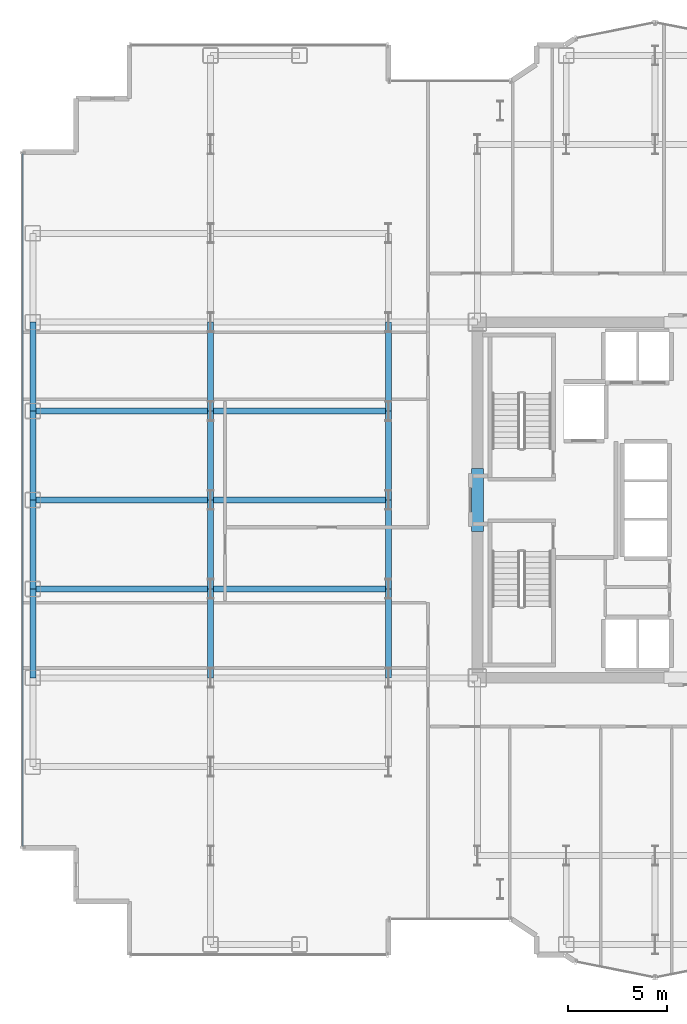
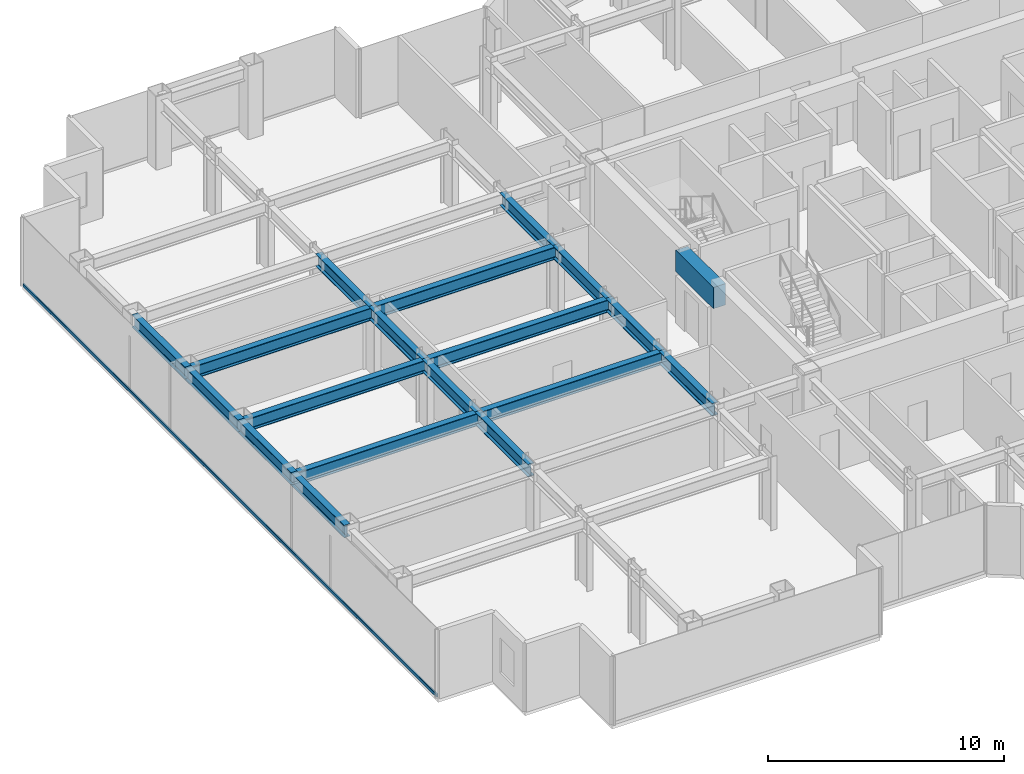
# One storey, part 5 of 26: 19 beams, 1 member, 1 element without a shape of its own.
"""IFC4 building model written with IfcOpenShell, lengths in metres."""

import ifcopenshell
import ifcopenshell.guid

model = None  # the IFC model being written
_history = None  # IfcOwnerHistory: only IFC2X3 demands one
_inside = {}  # id of a spatial element -> (the spatial element, [elements in it])
_under = {}  # id of a project, library or spatial element -> (it, [spatial elements below it])
_declared = {}  # id of a project -> (the project, [libraries it declares])
_typed = {}  # id of a type object -> (the type object, [elements of that type])
_made_of = {}  # id of a material, layer set ... -> (it, [elements and type objects made of it])


def new_model(schema):
    """Start an empty IFC model of exactly this schema.

    Asked for "IFC4X3", IfcOpenShell would pick the latest addendum, in which some entities
    have other attributes; the version numbers below select the first issue.
    IFC2X3 requires an IfcOwnerHistory on every rooted entity: one is made here for all.
    """
    global model, _history
    if schema == "IFC4X3":
        model = ifcopenshell.file(schema_version=(4, 3, 0, 0))
    else:
        model = ifcopenshell.file(schema=schema)
    _inside.clear()
    _under.clear()
    _declared.clear()
    _typed.clear()
    _made_of.clear()
    _history = None
    if model.schema == "IFC2X3":
        org = make("IfcOrganization", Name="unknown")
        user = make(
            "IfcPersonAndOrganization",
            ThePerson=make("IfcPerson", FamilyName="unknown"),
            TheOrganization=org,
        )
        app = make(
            "IfcApplication",
            ApplicationDeveloper=org,
            Version="unknown",
            ApplicationFullName="unknown",
            ApplicationIdentifier="unknown",
        )
        _history = make(
            "IfcOwnerHistory",
            OwningUser=user,
            OwningApplication=app,
            ChangeAction="ADDED",
            CreationDate=0,
        )
    return model


def make(cls, **values):
    """One entity of the class cls with the attributes given. An attribute that is None is left unset."""
    return model.create_entity(
        cls, **{name: value for name, value in values.items() if value is not None}
    )


def rooted(cls, **values):
    """An entity with a GlobalId (a new one), such as an element, a storey or a relation."""
    return make(cls, GlobalId=ifcopenshell.guid.new(), OwnerHistory=_history, **values)


def si_unit(unit_type, name, prefix=None):
    """IfcSIUnit, for example si_unit("LENGTHUNIT", "METRE", prefix="MILLI")."""
    return make("IfcSIUnit", UnitType=unit_type, Prefix=prefix, Name=name)


def assignment(units):
    """IfcUnitAssignment: the units of a project."""
    return None if units is None else make("IfcUnitAssignment", Units=units)


def point(xyz):
    """IfcCartesianPoint."""
    return None if xyz is None else make("IfcCartesianPoint", Coordinates=xyz)


def direction(xyz):
    """IfcDirection."""
    return None if xyz is None else make("IfcDirection", DirectionRatios=xyz)


def frame(location, z_axis=None, x_axis=None):
    """IfcAxis2Placement3D, a coordinate frame: its origin and axes. An axis left out is left unset."""
    return make(
        "IfcAxis2Placement3D",
        Location=point(location),
        Axis=direction(z_axis),
        RefDirection=direction(x_axis),
    )


def frame_2d(location, x_axis=None):
    """IfcAxis2Placement2D, a coordinate frame in the plane: its origin and x axis."""
    return make(
        "IfcAxis2Placement2D", Location=point(location), RefDirection=direction(x_axis)
    )


def origin():
    """The frame at (0, 0, 0) with its axes left unset."""
    return frame((0.0, 0.0, 0.0))


def origin_2d():
    """The frame at (0, 0) in the plane with its x axis left unset."""
    return frame_2d((0.0, 0.0))


def place(relative_to, where):
    """IfcLocalPlacement: puts the frame where relative to a parent placement (None: the world)."""
    return make(
        "IfcLocalPlacement", PlacementRelTo=relative_to, RelativePlacement=where
    )


def context(
    kind, dimensions, precision=None, world=None, true_north=None, identifier=None
):
    """IfcGeometricRepresentationContext, for example the 3D "Model" context."""
    return make(
        "IfcGeometricRepresentationContext",
        ContextIdentifier=identifier,
        ContextType=kind,
        CoordinateSpaceDimension=dimensions,
        Precision=precision,
        WorldCoordinateSystem=world,
        TrueNorth=true_north,
    )


def subcontext(parent, identifier, kind, view, scale=None):
    """IfcGeometricRepresentationSubContext, for example "Body" below "Model"."""
    return make(
        "IfcGeometricRepresentationSubContext",
        ContextIdentifier=identifier,
        ContextType=kind,
        ParentContext=parent,
        TargetScale=scale,
        TargetView=view,
    )


def project(units=None, contexts=None):
    """IfcProject with its units and contexts."""
    return rooted(
        "IfcProject",
        Name="project",
        RepresentationContexts=contexts,
        UnitsInContext=assignment(units),
    )


def spatial(cls, under=None, at=None, **own):
    """A site, building, storey or space (cls), placed at a placement, below another one or the project."""
    s = rooted(cls, ObjectPlacement=at, **own)
    if under is not None:
        _under.setdefault(under.id(), (under, []))[1].append(s)
    return s


def profile(cls, at=None, kind="AREA", **sizes):
    """A parametric profile (cls). Its sizes go by their IFC names, for example OverallWidth=200.0."""
    return make(cls, ProfileType=kind, Position=at, **sizes)


def rectangle(**sizes):
    """IfcRectangleProfileDef."""
    return profile("IfcRectangleProfileDef", **sizes)


def hollow_rectangle(**sizes):
    """IfcRectangleHollowProfileDef."""
    return profile("IfcRectangleHollowProfileDef", **sizes)


def i_section(**sizes):
    """IfcIShapeProfileDef."""
    return profile("IfcIShapeProfileDef", **sizes)


def extrude(swept, where, along, depth):
    """IfcExtrudedAreaSolid: the profile swept, set in the frame where, extruded along a direction by depth."""
    return make(
        "IfcExtrudedAreaSolid",
        SweptArea=swept,
        Position=where,
        ExtrudedDirection=direction(along),
        Depth=depth,
    )


def shape(context_of_items, identifier, shape_type, items):
    """IfcShapeRepresentation: the items that make up one representation, for example the "Body"."""
    return make(
        "IfcShapeRepresentation",
        ContextOfItems=context_of_items,
        RepresentationIdentifier=identifier,
        RepresentationType=shape_type,
        Items=items,
    )


def source(mapping_origin, context_of_items, identifier, shape_type, items):
    """IfcRepresentationMap: a shape defined once, which mapped items show again and again."""
    return make(
        "IfcRepresentationMap",
        MappingOrigin=mapping_origin,
        MappedRepresentation=shape(context_of_items, identifier, shape_type, items),
    )


def transform(
    local_origin,
    x_axis=None,
    y_axis=None,
    z_axis=None,
    scale=None,
    scale2=None,
    scale3=None,
    uniform=True,
):
    """IfcCartesianTransformationOperator3D, or its non-uniform kind. x_axis, y_axis, z_axis: its Axis1, 2, 3."""
    if uniform:
        return make(
            "IfcCartesianTransformationOperator3D",
            Axis1=direction(x_axis),
            Axis2=direction(y_axis),
            LocalOrigin=point(local_origin),
            Scale=scale,
            Axis3=direction(z_axis),
        )
    return make(
        "IfcCartesianTransformationOperator3DnonUniform",
        Axis1=direction(x_axis),
        Axis2=direction(y_axis),
        LocalOrigin=point(local_origin),
        Scale=scale,
        Axis3=direction(z_axis),
        Scale2=scale2,
        Scale3=scale3,
    )


def mapped(mapping_source, mapping_target):
    """IfcMappedItem: shows the shape of a source again, moved by a transform."""
    return make(
        "IfcMappedItem", MappingSource=mapping_source, MappingTarget=mapping_target
    )


def material(Name=None, Category=None):
    """IfcMaterial."""
    return make("IfcMaterial", Name=Name, Category=Category)


def layer(
    of_material, thickness, ventilated=None, Name=None, Category=None, Priority=None
):
    """IfcMaterialLayer: one layer of a wall or slab, of a material (None: an air gap)."""
    return make(
        "IfcMaterialLayer",
        Material=of_material,
        LayerThickness=thickness,
        IsVentilated=ventilated,
        Name=Name,
        Category=Category,
        Priority=Priority,
    )


def layer_set(layers, Name=None):
    """IfcMaterialLayerSet."""
    return make("IfcMaterialLayerSet", MaterialLayers=layers, LayerSetName=Name)


def material_profile(
    of_material, cross_section, Name=None, Category=None, Priority=None
):
    """IfcMaterialProfile: a cross section and its material."""
    return make(
        "IfcMaterialProfile",
        Name=Name,
        Material=of_material,
        Profile=cross_section,
        Priority=Priority,
        Category=Category,
    )


def profile_set(profiles, Name=None, composite=None):
    """IfcMaterialProfileSet."""
    return make(
        "IfcMaterialProfileSet",
        Name=Name,
        MaterialProfiles=profiles,
        CompositeProfile=composite,
    )


def made_of(thing, what):
    """Note that an element or type object is made of a material, layer set ...; save() writes the relation."""
    if what is not None:
        _made_of.setdefault(what.id(), (what, []))[1].append(thing)
    return thing


def type_object(cls, material=None, **own):
    """A type object (cls), such as IfcWallType, which elements share."""
    return made_of(rooted(cls, **own), material)


def element(
    cls,
    number,
    at=None,
    inside=None,
    cuts=None,
    type_object=None,
    material=None,
    context=None,
    identifier="Body",
    shape_type=None,
    held_by="IfcProductDefinitionShape",
    body=None,
    shapes=None,
    **own,
):
    """One element of the class cls, such as IfcWall. Its Tag is "e" and its number.

    at: its placement. inside: the storey or other place that contains it. cuts: it is an
    opening in that element (IfcRelVoidsElement). A single representation is given by context,
    identifier, shape_type and body (its items); several are given by shapes. held_by: the class
    of the entity that holds the representations. save() writes the other relations.
    """
    e = rooted(cls, Tag="e%d" % number, ObjectPlacement=at, **own)
    if body is not None:
        shapes = [shape(context, identifier, shape_type, body)]
    if shapes is not None:
        e.Representation = make(held_by, Representations=shapes)
    if inside is not None:
        _inside.setdefault(inside.id(), (inside, []))[1].append(e)
    if cuts is not None:
        rooted(
            "IfcRelVoidsElement", RelatingBuildingElement=cuts, RelatedOpeningElement=e
        )
    if type_object is not None:
        _typed.setdefault(type_object.id(), (type_object, []))[1].append(e)
    return made_of(e, material)


def aggregate(whole, parts):
    """IfcRelAggregates: a whole, such as a stair, and the parts it consists of."""
    return rooted("IfcRelAggregates", RelatingObject=whole, RelatedObjects=parts)


def save(model, path):
    """Write the relations noted so far, then the file.

    IfcRelAggregates (storeys below a building ...), IfcRelContainedInSpatialStructure (elements
    in a storey), IfcRelDefinesByType, IfcRelAssociatesMaterial and IfcRelDeclares: one each for
    every whole, place, type object, material and project.
    """
    for whole, parts in _under.values():
        aggregate(whole, parts)
    for where, things in _inside.values():
        rooted(
            "IfcRelContainedInSpatialStructure",
            RelatedElements=things,
            RelatingStructure=where,
        )
    for kind, things in _typed.values():
        rooted("IfcRelDefinesByType", RelatedObjects=things, RelatingType=kind)
    for what, things in _made_of.values():
        rooted("IfcRelAssociatesMaterial", RelatedObjects=things, RelatingMaterial=what)
    for by, libraries in _declared.values():
        rooted("IfcRelDeclares", RelatingContext=by, RelatedDefinitions=libraries)
    model.write(path)


model = new_model("IFC4")

# Units and contexts
model_context = context("Model", 3, precision=1e-05, world=origin(), true_north=direction((0.0, 1.0)))
body_context = subcontext(model_context, "Body", "Model", "MODEL_VIEW")
ifc_project = project(units=[si_unit("LENGTHUNIT", "METRE"), si_unit("AREAUNIT", "SQUARE_METRE"), si_unit("VOLUMEUNIT", "CUBIC_METRE"), si_unit("PLANEANGLEUNIT", "RADIAN"), si_unit("MASSUNIT", "GRAM", prefix="KILO")], contexts=[model_context])

# Site, building, storey
site_placement = place(None, origin())
site = spatial("IfcSite", under=ifc_project, at=site_placement, CompositionType="ELEMENT")
building_placement = place(site_placement, origin())
building = spatial("IfcBuilding", under=site, at=building_placement, Name="Nefas-Gora Pilgrimage Tower", CompositionType="ELEMENT")
storey_placement = place(building_placement, frame((0.0, 0.0, 121.199951171875)))
storey = spatial("IfcBuildingStorey", under=building, at=storey_placement, Name="L29", CompositionType="ELEMENT", Elevation=121.199951171875)

# Beams
ifc_material_1 = material(Name="Concrete C60/75", Category="concrete")
ifc_material_profile_1 = material_profile(ifc_material_1, rectangle(XDim=0.60009765625, YDim=1.10009765625, at=origin_2d()), Name="RC 600x1100")
ifc_profile_set_1 = profile_set([ifc_material_profile_1], Name="Concrete C60/75")
beam_type_1 = type_object("IfcBeamType", Name="BM-LIN-RC1100", PredefinedType="LINTEL", material=ifc_profile_set_1)
shared_shape_1 = source(origin(), body_context, "Body", "SweptSolid", [
    extrude(rectangle(XDim=0.60009765625, YDim=1.10009765625, at=origin_2d()), origin(), (0.0, 0.0, 1.0), 3.2001953125),
])
beam_placement = place(storey_placement, frame((-11.25, -1.60009765625, 3.0), z_axis=(0.0, 1.0, 0.0), x_axis=(-1.0, 0.0, 0.0)))
element("IfcBeam", 1, at=beam_placement, inside=storey, type_object=beam_type_1, Name="L29 Core Coupling Lintel Beam W", PredefinedType="LINTEL", context=body_context, shape_type="MappedRepresentation", body=[
    mapped(shared_shape_1, transform((0.0, 0.0, 0.0), x_axis=(1.0, 0.0, 0.0), y_axis=(0.0, 1.0, 0.0), z_axis=(0.0, 0.0, 1.0), scale=1.0)),
])
ifc_material_2 = material(Name="Steel S355", Category="steel")
ifc_material_profile_2 = material_profile(ifc_material_2, i_section(OverallWidth=0.300048828125, OverallDepth=0.64990234375, WebThickness=0.01611328125, FlangeThickness=0.031005859375, FilletRadius=0.027099609375, at=origin_2d()), Name="HEB 650")
ifc_profile_set_2 = profile_set([ifc_material_profile_2], Name="Steel S355")
beam_type_2 = type_object("IfcBeamType", Name="BM-SPN-HEB500", PredefinedType="SPANDREL", material=ifc_profile_set_2)
shared_shape_2 = source(origin(), body_context, "Body", "SweptSolid", [
    extrude(i_section(OverallWidth=0.300048828125, OverallDepth=0.64990234375, WebThickness=0.01611328125, FlangeThickness=0.031005859375, FilletRadius=0.027099609375, at=origin_2d()), origin(), (0.0, 0.0, 1.0), 4.5),
])
for number, where, z_axis, x_axis, name in (
    (2, (-33.75, -9.0, 3.22509765625), (0.0, 1.0, 0.0), (-1.0, 0.0, 0.0), "L29 SP-02 beam"),
    (3, (-33.75, -4.5, 3.22509765625), (0.0, 1.0, 0.0), (-1.0, 0.0, 0.0), "L29 SP-02 beam"),
    (4, (-33.75, 0.0, 3.22509765625), (0.0, 1.0, 0.0), (-1.0, 0.0, 0.0), "L29 SP-02 beam"),
    (5, (-33.75, 4.5, 3.22509765625), (0.0, 1.0, 0.0), (-1.0, 0.0, 0.0), "L29 SP-02 beam"),
):
    element("IfcBeam", number, at=place(storey_placement, frame(where, z_axis=z_axis, x_axis=x_axis)), inside=storey, type_object=beam_type_2, Name=name, PredefinedType="SPANDREL", context=body_context, shape_type="MappedRepresentation", body=[
        mapped(shared_shape_2, transform((0.0, 0.0, 0.0), x_axis=(1.0, 0.0, 0.0), y_axis=(0.0, 1.0, 0.0), z_axis=(0.0, 0.0, 1.0), scale=1.0)),
    ])
ifc_material_profile_3 = material_profile(ifc_material_2, i_section(OverallWidth=0.300048828125, OverallDepth=0.64990234375, WebThickness=0.01611328125, FlangeThickness=0.031005859375, FilletRadius=0.027099609375, at=origin_2d()), Name="HEB 650")
ifc_profile_set_3 = profile_set([ifc_material_profile_3], Name="Steel S355")
beam_type_3 = type_object("IfcBeamType", Name="BM-GIR-HEB650", PredefinedType="BEAM", material=ifc_profile_set_3)
shared_shape_3 = source(origin(), body_context, "Body", "SweptSolid", [
    extrude(i_section(OverallWidth=0.300048828125, OverallDepth=0.64990234375, WebThickness=0.01611328125, FlangeThickness=0.031005859375, FilletRadius=0.027099609375, at=origin_2d()), origin(), (0.0, 0.0, 1.0), 9.0),
])
for number, where, z_axis, x_axis, name in (
    (6, (-33.75, -4.5, 3.22509765625), (1.0, 0.0, 0.0), (0.0, 1.0, 0.0), "L29 G-03 beam"),
    (7, (-33.75, 0.0, 3.22509765625), (1.0, 0.0, 0.0), (0.0, 1.0, 0.0), "L29 G-03 beam"),
    (8, (-33.75, 4.5, 3.22509765625), (1.0, 0.0, 0.0), (0.0, 1.0, 0.0), "L29 G-03 beam"),
    (9, (-24.75, -4.5, 3.22509765625), (1.0, 0.0, 0.0), (0.0, 1.0, 0.0), "L29 G-03 beam"),
    (10, (-24.75, 0.0, 3.22509765625), (1.0, 0.0, 0.0), (0.0, 1.0, 0.0), "L29 G-03 beam"),
    (11, (-24.75, 4.5, 3.22509765625), (1.0, 0.0, 0.0), (0.0, 1.0, 0.0), "L29 G-03 beam"),
):
    element("IfcBeam", number, at=place(storey_placement, frame(where, z_axis=z_axis, x_axis=x_axis)), inside=storey, type_object=beam_type_3, Name=name, PredefinedType="BEAM", context=body_context, shape_type="MappedRepresentation", body=[
        mapped(shared_shape_3, transform((0.0, 0.0, 0.0), x_axis=(1.0, 0.0, 0.0), y_axis=(0.0, 1.0, 0.0), z_axis=(0.0, 0.0, 1.0), scale=1.0)),
    ])
shared_shape_4 = source(origin(), body_context, "Body", "SweptSolid", [
    extrude(i_section(OverallWidth=0.300048828125, OverallDepth=0.64990234375, WebThickness=0.01611328125, FlangeThickness=0.031005859375, FilletRadius=0.027099609375, at=origin_2d()), origin(), (0.0, 0.0, 1.0), 4.5),
])
for number, where, z_axis, x_axis, name in (
    (12, (-24.75, -9.0, 3.22509765625), (0.0, 1.0, 0.0), (-1.0, 0.0, 0.0), "L29 G-03 beam"),
    (13, (-24.75, -4.5, 3.22509765625), (0.0, 1.0, 0.0), (-1.0, 0.0, 0.0), "L29 G-03 beam"),
    (14, (-24.75, 0.0, 3.22509765625), (0.0, 1.0, 0.0), (-1.0, 0.0, 0.0), "L29 G-03 beam"),
    (15, (-24.75, 4.5, 3.22509765625), (0.0, 1.0, 0.0), (-1.0, 0.0, 0.0), "L29 G-03 beam"),
    (16, (-15.75, -9.0, 3.22509765625), (0.0, 1.0, 0.0), (-1.0, 0.0, 0.0), "L29 G-03 beam"),
    (17, (-15.75, -4.5, 3.22509765625), (0.0, 1.0, 0.0), (-1.0, 0.0, 0.0), "L29 G-03 beam"),
    (18, (-15.75, 0.0, 3.22509765625), (0.0, 1.0, 0.0), (-1.0, 0.0, 0.0), "L29 G-03 beam"),
    (19, (-15.75, 4.5, 3.22509765625), (0.0, 1.0, 0.0), (-1.0, 0.0, 0.0), "L29 G-03 beam"),
):
    element("IfcBeam", number, at=place(storey_placement, frame(where, z_axis=z_axis, x_axis=x_axis)), inside=storey, type_object=beam_type_3, Name=name, PredefinedType="BEAM", context=body_context, shape_type="MappedRepresentation", body=[
        mapped(shared_shape_4, transform((0.0, 0.0, 0.0), x_axis=(1.0, 0.0, 0.0), y_axis=(0.0, 1.0, 0.0), z_axis=(0.0, 0.0, 1.0), scale=1.0)),
    ])

# Curtain wall, member
ifc_material_3 = material(Name="Dark ceramic-fritted solar-control aluminium-glass curtain wall", Category="aluminium")
ifc_layer = layer(ifc_material_3, 0.219970703125)
ifc_layer_set = layer_set([ifc_layer], Name="Dark ceramic-fritted solar-control aluminium-glass curtain wall")
curtain_wall_type = type_object("IfcCurtainWallType", Name="CW-SYS-2", PredefinedType="NOTDEFINED", material=ifc_layer_set)
curtain_wall_placement = place(storey_placement, origin())
curtain_wall = element("IfcCurtainWall", 20, at=curtain_wall_placement, inside=storey, type_object=curtain_wall_type, Name="L29 Unitised Curtain Wall CW2", PredefinedType="NOTDEFINED")
ifc_material_4 = material(Name="Anodised architectural aluminium", Category="aluminium")
ifc_material_profile_4 = material_profile(ifc_material_4, hollow_rectangle(XDim=0.080078125, YDim=0.159912109375, WallThickness=0.00439453125, InnerFilletRadius=0.00439453125, OuterFilletRadius=0.009033203125, at=origin_2d()), Name="ALU TRANSOM 80x160")
ifc_profile_set_4 = profile_set([ifc_material_profile_4], Name="Anodised architectural aluminium")
member_type = type_object("IfcMemberType", Name="CWM-TRN-2", PredefinedType="USERDEFINED", material=ifc_profile_set_4)
shared_shape_5 = source(origin(), body_context, "Body", "SweptSolid", [
    extrude(hollow_rectangle(XDim=0.080078125, YDim=0.159912109375, WallThickness=0.00439453125, InnerFilletRadius=0.00439453125, OuterFilletRadius=0.009033203125, at=origin_2d()), origin(), (0.0, 0.0, 1.0), 35.06005859375),
])
member_placement = place(storey_placement, frame((-34.27001953125, 17.530029296875, 0.050048828125), z_axis=(0.0, -1.0, 0.0), x_axis=(1.0, 0.0, 0.0)))
member = element("IfcMember", 21, at=member_placement, type_object=member_type, Name="CW2 Spandrel Transom", ObjectType="TRANSOM", PredefinedType="USERDEFINED", context=body_context, shape_type="MappedRepresentation", body=[
    mapped(shared_shape_5, transform((0.0, 0.0, 0.0), x_axis=(1.0, 0.0, 0.0), y_axis=(0.0, 1.0, 0.0), z_axis=(0.0, 0.0, 1.0), scale=1.0)),
])
aggregate(curtain_wall, [member])

save(model, "model.ifc")
